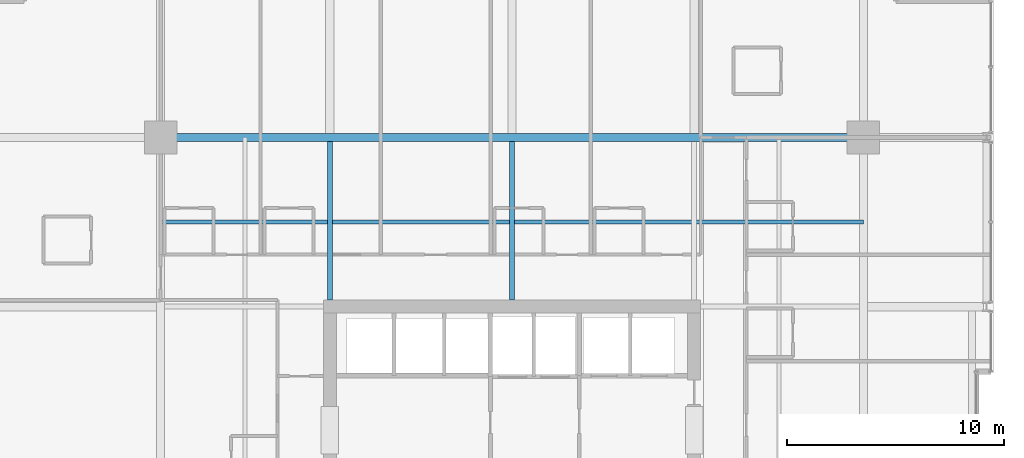
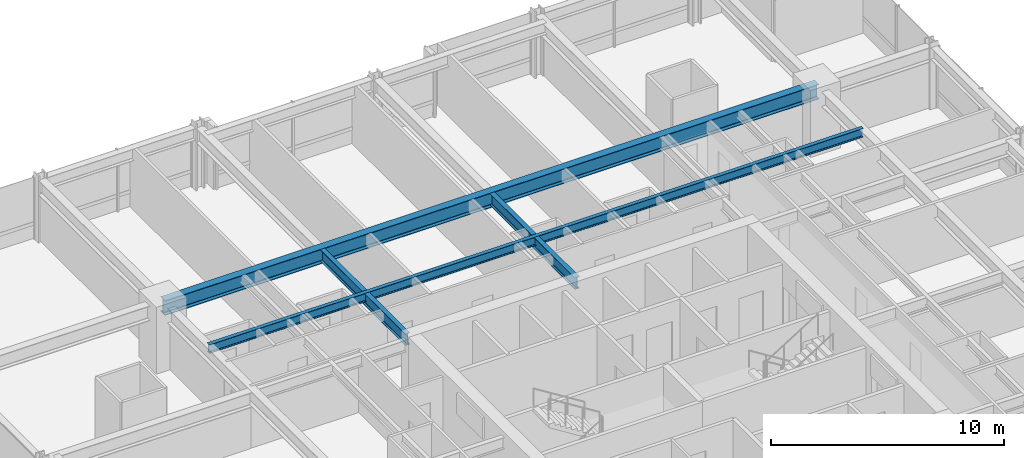
# One storey, part 19 of 35: 4 beams.
"""IFC4 building model written with IfcOpenShell, lengths in metres."""

from ifc_helpers import new_model, si_unit, direction, frame, origin, origin_2d, place, context, subcontext, project, spatial, i_section, extrude, material, material_profile, profile_set, type_object, element, save


model = new_model("IFC4")

# Units and contexts
model_context = context("Model", 3, precision=1e-05, world=origin(), true_north=direction((0.0, 1.0)))
body_context = subcontext(model_context, "Body", "Model", "MODEL_VIEW")
ifc_project = project(units=[si_unit("LENGTHUNIT", "METRE"), si_unit("AREAUNIT", "SQUARE_METRE"), si_unit("VOLUMEUNIT", "CUBIC_METRE"), si_unit("PLANEANGLEUNIT", "RADIAN"), si_unit("MASSUNIT", "GRAM", prefix="KILO")], contexts=[model_context])

# Site, building, storey
site_placement = place(None, origin())
site = spatial("IfcSite", under=ifc_project, at=site_placement, CompositionType="ELEMENT")
building_placement = place(site_placement, origin())
building = spatial("IfcBuilding", under=site, at=building_placement, Name="Drelvath Grand Hotel", CompositionType="ELEMENT")
storey_placement = place(building_placement, frame((0.0, 0.0, 95.300048828125)))
storey = spatial("IfcBuildingStorey", under=building, at=storey_placement, Name="L23", CompositionType="ELEMENT", Elevation=95.300048828125)

# Beams
ifc_material = material(Name="Steel ASTM A992 Gr 50", Category="steel")
ifc_material_profile_1 = material_profile(ifc_material, i_section(OverallWidth=0.19140625, OverallDepth=0.4599609375, WebThickness=0.010009765625, FlangeThickness=0.01611328125, FilletRadius=0.01611328125, at=origin_2d()), Name="W18X55")
ifc_profile_set_1 = profile_set([ifc_material_profile_1], Name="Steel ASTM A992 Gr 50")
beam_type_1 = type_object("IfcBeamType", Name="Composite Floor Joist W18X55", PredefinedType="JOIST", material=ifc_profile_set_1)
beam_1_placement = place(storey_placement, frame((-16.199951171875, 39.300048828125, 3.010009765625), z_axis=(1.0, 0.0, 0.0), x_axis=(0.0, 1.0, 0.0)))
element("IfcBeam", 1, at=beam_1_placement, inside=storey, type_object=beam_type_1, Name="L23 Floor Joist J2", PredefinedType="JOIST", context=body_context, shape_type="SweptSolid", body=[
    extrude(i_section(OverallWidth=0.19140625, OverallDepth=0.4599609375, WebThickness=0.010009765625, FlangeThickness=0.01611328125, FilletRadius=0.01611328125, at=origin_2d()), origin(), (0.0, 0.0, 1.0), 32.39990234375),
])
ifc_material_profile_2 = material_profile(ifc_material, i_section(OverallWidth=0.228271484375, OverallDepth=0.607666015625, WebThickness=0.01123046875, FlangeThickness=0.017333984375, FilletRadius=0.02001953125, at=origin_2d()), Name="W24X76")
ifc_profile_set_2 = profile_set([ifc_material_profile_2], Name="Steel ASTM A992 Gr 50")
beam_type_2 = type_object("IfcBeamType", Name="Primary Floor Girder W24X76", PredefinedType="BEAM", material=ifc_profile_set_2)
for number, where, z_axis, x_axis, name in (
    (2, (-8.39990234375, 35.699951171875, 2.93603515625), (0.0, 1.0, 0.0), (-1.0, 0.0, 0.0), "L23 North Core Tie 4"),
    (3, (0.0, 35.699951171875, 2.93603515625), (0.0, 1.0, 0.0), (-1.0, 0.0, 0.0), "L23 North Core Tie 5"),
):
    element("IfcBeam", number, at=place(storey_placement, frame(where, z_axis=z_axis, x_axis=x_axis)), inside=storey, type_object=beam_type_2, Name=name, PredefinedType="BEAM", context=body_context, shape_type="SweptSolid", body=[
        extrude(i_section(OverallWidth=0.228271484375, OverallDepth=0.607666015625, WebThickness=0.01123046875, FlangeThickness=0.017333984375, FilletRadius=0.02001953125, at=origin_2d()), origin(), (0.0, 0.0, 1.0), 7.309814453125),
    ])
ifc_material_profile_3 = material_profile(ifc_material, i_section(OverallWidth=0.380615234375, OverallDepth=0.773193359375, WebThickness=0.0166015625, FlangeThickness=0.027099609375, FilletRadius=0.02490234375, at=origin_2d()), Name="W30X173")
ifc_profile_set_3 = profile_set([ifc_material_profile_3], Name="Steel ASTM A992 Gr 50")
beam_type_3 = type_object("IfcBeamType", Name="Primary Floor Girder W30X173", PredefinedType="BEAM", material=ifc_profile_set_3)
beam_2_placement = place(storey_placement, frame((-16.199951171875, 43.199951171875, 2.853271484375), z_axis=(1.0, 0.0, 0.0), x_axis=(0.0, 1.0, 0.0)))
element("IfcBeam", 4, at=beam_2_placement, inside=storey, type_object=beam_type_3, Name="L23 Mega Ring Girder North", PredefinedType="BEAM", context=body_context, shape_type="SweptSolid", body=[
    extrude(i_section(OverallWidth=0.380615234375, OverallDepth=0.773193359375, WebThickness=0.0166015625, FlangeThickness=0.027099609375, FilletRadius=0.02490234375, at=origin_2d()), origin(), (0.0, 0.0, 1.0), 32.39990234375),
])

save(model, "model.ifc")
